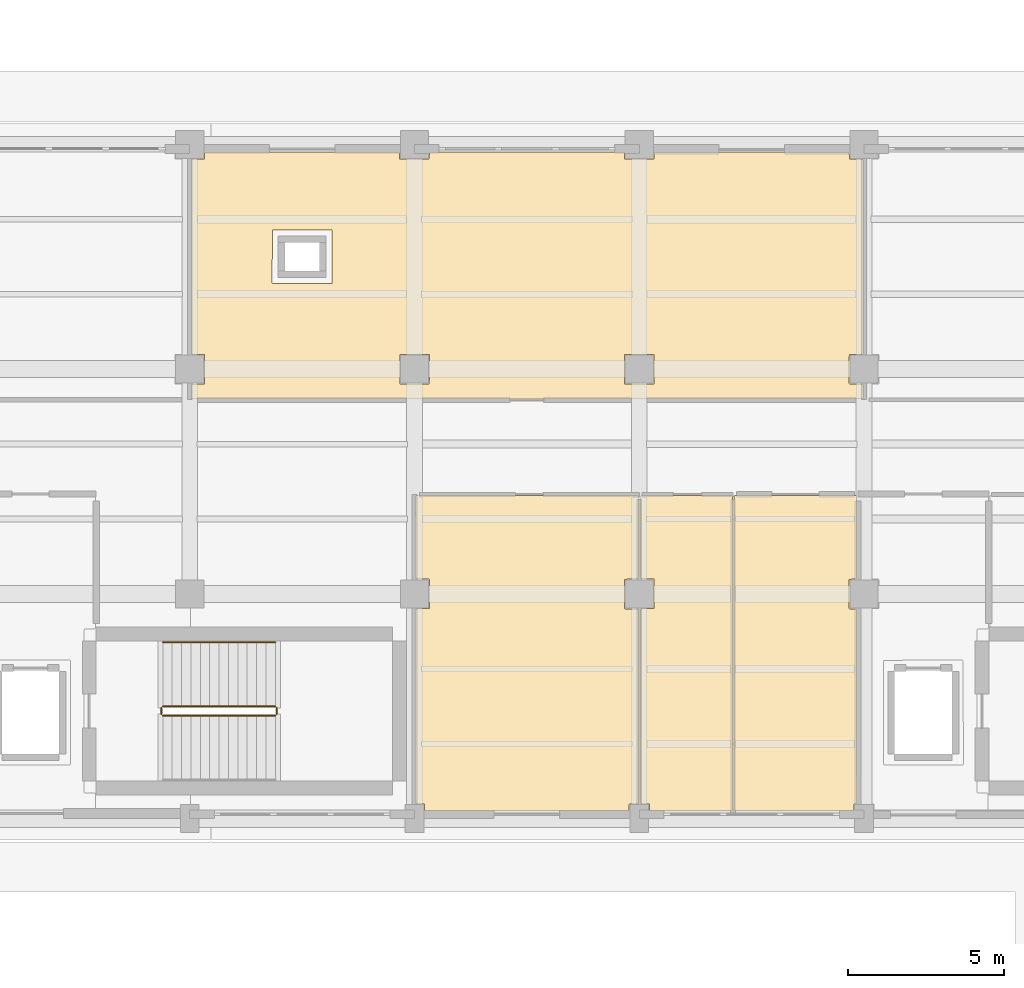
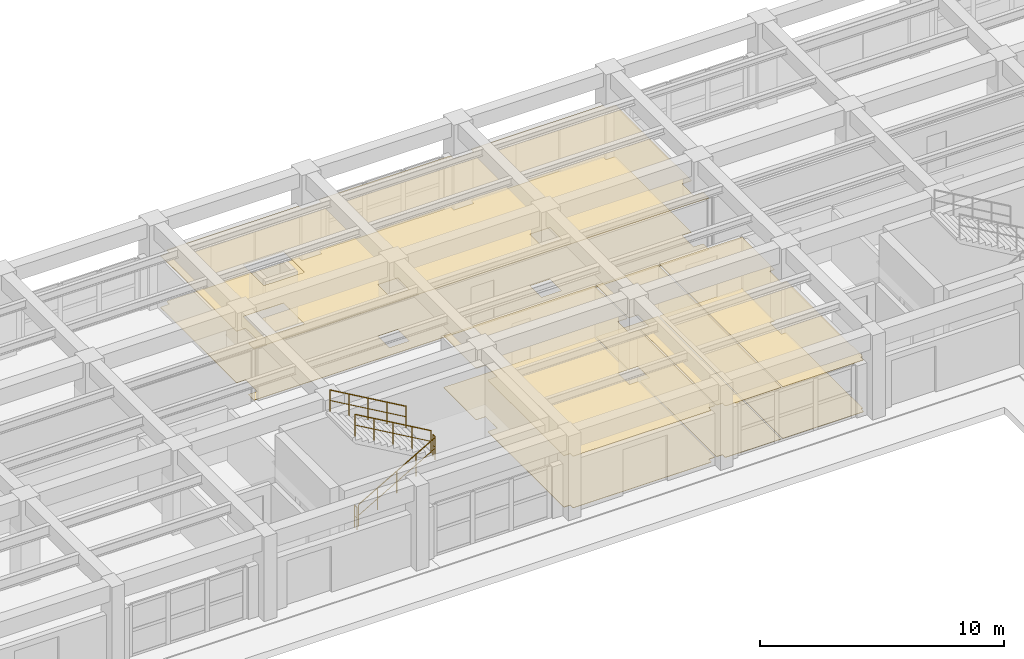
# One storey, part 61 of 64: 8 coverings, 5 railings.
"""IFC4 building model written with IfcOpenShell, lengths in metres."""

from ifc_helpers import new_model, si_unit, direction, frame, origin, origin_2d, place, context, subcontext, project, spatial, polyline, circle, outline, extrude, material, layer, layer_set, type_object, element, save


model = new_model("IFC4")

# Units and contexts
model_context = context("Model", 3, precision=1e-05, world=origin(), true_north=direction((0.0, 1.0)))
body_context = subcontext(model_context, "Body", "Model", "MODEL_VIEW")
ifc_project = project(units=[si_unit("LENGTHUNIT", "METRE"), si_unit("AREAUNIT", "SQUARE_METRE"), si_unit("VOLUMEUNIT", "CUBIC_METRE"), si_unit("PLANEANGLEUNIT", "RADIAN"), si_unit("MASSUNIT", "GRAM", prefix="KILO")], contexts=[model_context])

# Site, building, storey
site_placement = place(None, origin())
site = spatial("IfcSite", under=ifc_project, at=site_placement, CompositionType="ELEMENT")
building_placement = place(site_placement, origin())
building = spatial("IfcBuilding", under=site, at=building_placement, Name="Solenvale Faculty of Natural Sciences", CompositionType="ELEMENT")
storey_placement = place(building_placement, origin())
storey = spatial("IfcBuildingStorey", under=building, at=storey_placement, Name="L00", CompositionType="ELEMENT", Elevation=0.0)

# Coverings
ifc_material_1 = material(Name="Acoustic mineral-timber ceiling", Category="wood")
ifc_layer_1 = layer(ifc_material_1, 0.02490234375)
ifc_layer_set_1 = layer_set([ifc_layer_1], Name="Acoustic mineral-timber ceiling")
covering_type_1 = type_object("IfcCoveringType", Name="COV-CEIL-AC25", PredefinedType="CEILING", material=ifc_layer_set_1)
covering_1_placement = place(storey_placement, frame((0.0, 0.0, 2.574951171875)))
element("IfcCovering", 1, at=covering_1_placement, inside=storey, type_object=covering_type_1, Name="L00 Seminar Room Acoustic Ceiling", PredefinedType="CEILING", context=body_context, shape_type="SweptSolid", body=[
    extrude(outline(polyline([(114.695068359375, 114.9599609375), (114.72412109375, 114.93603515625), (114.72509765625, 114.73388671875), (114.736083984375, 114.72509765625), (115.6669921875, 114.72509765625), (115.676025390625, 114.93603515625), (115.705078125, 114.9599609375), (121.89501953125, 114.9599609375), (121.924072265625, 114.93603515625), (121.925048828125, 114.73388671875), (121.93603515625, 114.72509765625), (122.866943359375, 114.72509765625), (122.8759765625, 114.93603515625), (122.905029296875, 114.9599609375), (129.094970703125, 114.9599609375), (129.1240234375, 114.93603515625), (129.1298828125, 114.72607421875), (129.56396484375, 114.720947265625), (129.580078125, 114.695068359375), (129.580078125, 108.501953125), (129.552978515625, 108.47509765625), (129.1259765625, 108.468994140625), (129.125, 107.535888671875), (129.135986328125, 107.52490234375), (129.550048828125, 107.52490234375), (129.571044921875, 107.51611328125), (129.580078125, 107.4951171875), (129.575927734375, 107.055908203125), (129.550048828125, 107.0400390625), (108.051025390625, 107.047119140625), (108.0400390625, 107.070068359375), (108.047119140625, 107.513916015625), (108.070068359375, 107.52490234375), (108.47509765625, 107.531982421875), (108.47509765625, 108.464111328125), (108.464111328125, 108.47509765625), (108.06689453125, 108.47509765625), (108.0400390625, 108.501953125), (108.047119140625, 114.714111328125), (108.070068359375, 114.72509765625), (108.469970703125, 114.72607421875), (108.47607421875, 114.93603515625), (108.5048828125, 114.9599609375), (114.695068359375, 114.9599609375)]), holes=[polyline([(122.875, 108.464111328125), (122.864013671875, 108.47509765625), (121.927978515625, 108.471923828125), (121.927978515625, 107.528076171875), (122.8720703125, 107.528076171875), (122.875, 108.464111328125)]), polyline([(115.675048828125, 108.464111328125), (115.6640625, 108.47509765625), (114.72802734375, 108.471923828125), (114.72802734375, 107.528076171875), (115.672119140625, 107.528076171875), (115.675048828125, 108.464111328125)]), polyline([(112.531982421875, 110.739990234375), (112.552001953125, 110.75), (112.56005859375, 110.77001953125), (112.56005859375, 112.429931640625), (112.550048828125, 112.451904296875), (110.669921875, 112.4599609375), (110.64794921875, 112.449951171875), (110.639892578125, 110.77001953125), (110.64990234375, 110.748046875), (112.531982421875, 110.739990234375)])]), origin(), (0.0, 0.0, 1.0), 0.025146484375),
])
covering_2_placement = place(storey_placement, frame((0.0, 0.0, 2.574951171875)))
element("IfcCovering", 2, at=covering_2_placement, inside=storey, type_object=covering_type_1, Name="L00 Public Washroom Acoustic Ceiling", PredefinedType="CEILING", context=body_context, shape_type="SweptSolid", body=[
    extrude(outline(polyline([(122.35009765625, 103.9599609375), (122.37109375, 103.950927734375), (122.3798828125, 103.929931640625), (122.3798828125, 101.302001953125), (122.35302734375, 101.27490234375), (121.926025390625, 101.26904296875), (121.925048828125, 100.3359375), (121.93603515625, 100.324951171875), (122.35302734375, 100.324951171875), (122.3798828125, 100.298095703125), (122.375, 94.087890625), (122.35302734375, 94.074951171875), (122.0791015625, 94.072998046875), (122.074951171875, 93.866943359375), (122.044921875, 93.840087890625), (115.5380859375, 93.844970703125), (115.52490234375, 93.866943359375), (115.52099609375, 94.072998046875), (115.2470703125, 94.074951171875), (115.219970703125, 94.10205078125), (115.219970703125, 100.294921875), (115.2470703125, 100.324951171875), (115.674072265625, 100.3310546875), (115.675048828125, 101.263916015625), (115.6640625, 101.27490234375), (115.2470703125, 101.27490234375), (115.220947265625, 101.299072265625), (115.22509765625, 103.947021484375), (115.25, 103.9599609375), (122.35009765625, 103.9599609375)])), origin(), (0.0, 0.0, 1.0), 0.025146484375),
])
covering_3_placement = place(storey_placement, frame((0.0, 0.0, 2.574951171875)))
element("IfcCovering", 3, at=covering_3_placement, inside=storey, type_object=covering_type_1, Name="L00 Accessible Washroom Acoustic Ceiling", PredefinedType="CEILING", context=body_context, shape_type="SweptSolid", body=[
    extrude(outline(polyline([(125.35009765625, 103.9599609375), (125.37109375, 103.950927734375), (125.3798828125, 103.929931640625), (125.37890625, 93.861083984375), (125.35009765625, 93.840087890625), (122.74609375, 93.841064453125), (122.72509765625, 93.866943359375), (122.720947265625, 94.072998046875), (122.467041015625, 94.074951171875), (122.43994140625, 94.10498046875), (122.43994140625, 100.294921875), (122.467041015625, 100.324951171875), (122.8740234375, 100.3310546875), (122.875, 101.263916015625), (122.864013671875, 101.27490234375), (122.467041015625, 101.27490234375), (122.44091796875, 101.299072265625), (122.44091796875, 103.93896484375), (122.469970703125, 103.9599609375), (125.35009765625, 103.9599609375)])), origin(), (0.0, 0.0, 1.0), 0.025146484375),
])
covering_4_placement = place(storey_placement, frame((0.0, 0.0, 2.574951171875)))
element("IfcCovering", 4, at=covering_4_placement, inside=storey, type_object=covering_type_1, Name="L00 Janitor and Supply Store Acoustic Ceiling", PredefinedType="CEILING", context=body_context, shape_type="SweptSolid", body=[
    extrude(outline(polyline([(129.330078125, 103.9599609375), (129.35107421875, 103.950927734375), (129.360107421875, 103.929931640625), (129.360107421875, 101.302001953125), (129.3359375, 101.27587890625), (129.125, 101.26708984375), (129.125, 100.3359375), (129.134033203125, 100.324951171875), (129.3359375, 100.323974609375), (129.360107421875, 100.294921875), (129.360107421875, 95.0), (129.3798828125, 94.950927734375), (129.3779296875, 94.093994140625), (129.35595703125, 94.075927734375), (129.27587890625, 94.070068359375), (129.27490234375, 93.866943359375), (129.248046875, 93.840087890625), (125.458984375, 93.842041015625), (125.43994140625, 93.8701171875), (125.44189453125, 103.94091796875), (125.469970703125, 103.9599609375), (129.330078125, 103.9599609375)])), origin(), (0.0, 0.0, 1.0), 0.025146484375),
])
ifc_material_2 = material(Name="Polished slate terrazzo flooring", Category="masonry")
ifc_layer_2 = layer(ifc_material_2, 0.01806640625)
ifc_layer_set_2 = layer_set([ifc_layer_2], Name="Polished slate terrazzo flooring")
covering_type_2 = type_object("IfcCoveringType", Name="COV-FLR-TRZ18", PredefinedType="FLOORING", material=ifc_layer_set_2)
covering_5_placement = place(storey_placement, origin())
element("IfcCovering", 5, at=covering_5_placement, inside=storey, type_object=covering_type_2, Name="L00 Seminar Room Floor Finish", PredefinedType="FLOORING", context=body_context, shape_type="SweptSolid", body=[
    extrude(outline(polyline([(114.695068359375, 114.9599609375), (114.72412109375, 114.93603515625), (114.72509765625, 114.73388671875), (114.736083984375, 114.72509765625), (115.6669921875, 114.72509765625), (115.676025390625, 114.93603515625), (115.705078125, 114.9599609375), (121.89501953125, 114.9599609375), (121.924072265625, 114.93603515625), (121.925048828125, 114.73388671875), (121.93603515625, 114.72509765625), (122.866943359375, 114.72509765625), (122.8759765625, 114.93603515625), (122.905029296875, 114.9599609375), (129.094970703125, 114.9599609375), (129.1240234375, 114.93603515625), (129.1298828125, 114.72607421875), (129.56396484375, 114.720947265625), (129.580078125, 114.695068359375), (129.580078125, 108.501953125), (129.552978515625, 108.47509765625), (129.1259765625, 108.468994140625), (129.125, 107.535888671875), (129.135986328125, 107.52490234375), (129.550048828125, 107.52490234375), (129.571044921875, 107.51611328125), (129.580078125, 107.4951171875), (129.575927734375, 107.055908203125), (129.550048828125, 107.0400390625), (108.051025390625, 107.047119140625), (108.0400390625, 107.070068359375), (108.047119140625, 107.513916015625), (108.070068359375, 107.52490234375), (108.47509765625, 107.531982421875), (108.47509765625, 108.464111328125), (108.464111328125, 108.47509765625), (108.06689453125, 108.47509765625), (108.0400390625, 108.501953125), (108.047119140625, 114.714111328125), (108.070068359375, 114.72509765625), (108.469970703125, 114.72607421875), (108.47607421875, 114.93603515625), (108.5048828125, 114.9599609375), (114.695068359375, 114.9599609375)]), holes=[polyline([(122.875, 108.464111328125), (122.864013671875, 108.47509765625), (121.927978515625, 108.471923828125), (121.927978515625, 107.528076171875), (122.8720703125, 107.528076171875), (122.875, 108.464111328125)]), polyline([(115.675048828125, 108.464111328125), (115.6640625, 108.47509765625), (114.72802734375, 108.471923828125), (114.72802734375, 107.528076171875), (115.672119140625, 107.528076171875), (115.675048828125, 108.464111328125)]), polyline([(112.531982421875, 110.739990234375), (112.552001953125, 110.75), (112.56005859375, 110.77001953125), (112.56005859375, 112.429931640625), (112.550048828125, 112.451904296875), (110.669921875, 112.4599609375), (110.64794921875, 112.449951171875), (110.639892578125, 110.77001953125), (110.64990234375, 110.748046875), (112.531982421875, 110.739990234375)])]), origin(), (0.0, 0.0, 1.0), 0.01806640625),
])
covering_6_placement = place(storey_placement, origin())
element("IfcCovering", 6, at=covering_6_placement, inside=storey, type_object=covering_type_2, Name="L00 Public Washroom Floor Finish", PredefinedType="FLOORING", context=body_context, shape_type="SweptSolid", body=[
    extrude(outline(polyline([(122.35009765625, 103.9599609375), (122.37109375, 103.950927734375), (122.3798828125, 103.929931640625), (122.3798828125, 101.302001953125), (122.35302734375, 101.27490234375), (121.926025390625, 101.26904296875), (121.925048828125, 100.3359375), (121.93603515625, 100.324951171875), (122.35302734375, 100.324951171875), (122.3798828125, 100.298095703125), (122.375, 94.087890625), (122.35302734375, 94.074951171875), (122.0791015625, 94.072998046875), (122.074951171875, 93.866943359375), (122.044921875, 93.840087890625), (115.5380859375, 93.844970703125), (115.52490234375, 93.866943359375), (115.52099609375, 94.072998046875), (115.2470703125, 94.074951171875), (115.219970703125, 94.10205078125), (115.219970703125, 100.294921875), (115.2470703125, 100.324951171875), (115.674072265625, 100.3310546875), (115.675048828125, 101.263916015625), (115.6640625, 101.27490234375), (115.2470703125, 101.27490234375), (115.220947265625, 101.299072265625), (115.22509765625, 103.947021484375), (115.25, 103.9599609375), (122.35009765625, 103.9599609375)])), origin(), (0.0, 0.0, 1.0), 0.01806640625),
])
covering_7_placement = place(storey_placement, origin())
element("IfcCovering", 7, at=covering_7_placement, inside=storey, type_object=covering_type_2, Name="L00 Accessible Washroom Floor Finish", PredefinedType="FLOORING", context=body_context, shape_type="SweptSolid", body=[
    extrude(outline(polyline([(125.35009765625, 103.9599609375), (125.37109375, 103.950927734375), (125.3798828125, 103.929931640625), (125.37890625, 93.861083984375), (125.35009765625, 93.840087890625), (122.74609375, 93.841064453125), (122.72509765625, 93.866943359375), (122.720947265625, 94.072998046875), (122.467041015625, 94.074951171875), (122.43994140625, 94.10498046875), (122.43994140625, 100.294921875), (122.467041015625, 100.324951171875), (122.8740234375, 100.3310546875), (122.875, 101.263916015625), (122.864013671875, 101.27490234375), (122.467041015625, 101.27490234375), (122.44091796875, 101.299072265625), (122.44091796875, 103.93896484375), (122.469970703125, 103.9599609375), (125.35009765625, 103.9599609375)])), origin(), (0.0, 0.0, 1.0), 0.01806640625),
])
covering_8_placement = place(storey_placement, origin())
element("IfcCovering", 8, at=covering_8_placement, inside=storey, type_object=covering_type_2, Name="L00 Janitor and Supply Store Floor Finish", PredefinedType="FLOORING", context=body_context, shape_type="SweptSolid", body=[
    extrude(outline(polyline([(129.330078125, 103.9599609375), (129.35107421875, 103.950927734375), (129.360107421875, 103.929931640625), (129.360107421875, 101.302001953125), (129.3359375, 101.27587890625), (129.125, 101.26708984375), (129.125, 100.3359375), (129.134033203125, 100.324951171875), (129.3359375, 100.323974609375), (129.360107421875, 100.294921875), (129.360107421875, 95.0), (129.3798828125, 94.950927734375), (129.3779296875, 94.093994140625), (129.35595703125, 94.075927734375), (129.27587890625, 94.070068359375), (129.27490234375, 93.866943359375), (129.248046875, 93.840087890625), (125.458984375, 93.842041015625), (125.43994140625, 93.8701171875), (125.44189453125, 103.94091796875), (125.469970703125, 103.9599609375), (129.330078125, 103.9599609375)])), origin(), (0.0, 0.0, 1.0), 0.01806640625),
])

# Railings
ifc_material_3 = material(Name="Stainless steel Grade 304", Category="steel")
railing_type_1 = type_object("IfcRailingType", Name="RL-GRD-1100", PredefinedType="GUARDRAIL", material=ifc_material_3)
railing_1_placement = place(storey_placement, frame((107.139892578125, 96.89990234375, 0.173095703125)))
element("IfcRailing", 9, at=railing_1_placement, inside=storey, type_object=railing_type_1, Name="L00 ST-04 stair guard 1", PredefinedType="GUARDRAIL", context=body_context, shape_type="SweptSolid", body=[
    extrude(circle(Radius=0.02392578125, at=origin_2d()), frame((0.0, 0.0, 1.09619140625), z_axis=(0.866193409371, 0.0, 0.499708892819), x_axis=(0.0, 1.0, 0.0)), (0.0, 0.0, 1.0), 4.15625),
    extrude(circle(Radius=0.01611328125, at=origin_2d()), frame((0.0, 0.0, 0.56005859375), z_axis=(0.866193409371, 0.0, 0.499708892819), x_axis=(0.0, 1.0, 0.0)), (0.0, 0.0, 1.0), 4.15625),
    extrude(circle(Radius=0.02099609375, at=origin_2d()), origin(), (0.0, 0.0, 1.0), 1.072021484375),
    extrude(circle(Radius=0.02099609375, at=origin_2d()), frame((0.89990234375, 0.0, 0.519287109375)), (0.0, 0.0, 1.0), 1.072021484375),
    extrude(circle(Radius=0.02099609375, at=origin_2d()), frame((1.800048828125, 0.0, 1.03857421875)), (0.0, 0.0, 1.0), 1.072021484375),
    extrude(circle(Radius=0.02099609375, at=origin_2d()), frame((2.7001953125, 0.0, 1.5576171875)), (0.0, 0.0, 1.0), 1.072021484375),
    extrude(circle(Radius=0.02099609375, at=origin_2d()), frame((3.60009765625, 0.0, 2.076904296875)), (0.0, 0.0, 1.0), 1.072021484375),
])
railing_2_placement = place(storey_placement, frame((110.7900390625, 96.949951171875, 2.25)))
element("IfcRailing", 10, at=railing_2_placement, inside=storey, type_object=railing_type_1, Name="L00 ST-04 stair guard 2", PredefinedType="GUARDRAIL", context=body_context, shape_type="SweptSolid", body=[
    extrude(circle(Radius=0.02392578125, at=origin_2d()), frame((0.0, 0.0, 1.09619140625), z_axis=(0.0, 1.0, 0.0), x_axis=(-1.0, 0.0, 0.0)), (0.0, 0.0, 1.0), 0.199951171875),
    extrude(circle(Radius=0.01611328125, at=origin_2d()), frame((0.0, 0.0, 0.56005859375), z_axis=(0.0, 1.0, 0.0), x_axis=(-1.0, 0.0, 0.0)), (0.0, 0.0, 1.0), 0.199951171875),
    extrude(circle(Radius=0.02099609375, at=origin_2d()), origin(), (0.0, 0.0, 1.0), 1.072021484375),
    extrude(circle(Radius=0.02099609375, at=origin_2d()), frame((0.0, 0.199951171875, 0.0)), (0.0, 0.0, 1.0), 1.072021484375),
])
railing_3_placement = place(storey_placement, frame((110.739990234375, 97.199951171875, 2.423095703125)))
element("IfcRailing", 11, at=railing_3_placement, inside=storey, type_object=railing_type_1, Name="L00 ST-04 stair guard 3", PredefinedType="GUARDRAIL", context=body_context, shape_type="SweptSolid", body=[
    extrude(circle(Radius=0.02392578125, at=origin_2d()), frame((0.0, 0.0, 1.09619140625), z_axis=(-0.866193409371, 0.0, 0.499708892819), x_axis=(0.0, -1.0, 0.0)), (0.0, 0.0, 1.0), 4.15625),
    extrude(circle(Radius=0.01611328125, at=origin_2d()), frame((0.0, 0.0, 0.56005859375), z_axis=(-0.866193409371, 0.0, 0.499708892819), x_axis=(0.0, -1.0, 0.0)), (0.0, 0.0, 1.0), 4.15625),
    extrude(circle(Radius=0.02099609375, at=origin_2d()), origin(), (0.0, 0.0, 1.0), 1.072021484375),
    extrude(circle(Radius=0.02099609375, at=origin_2d()), frame((-0.89990234375, 0.0, 0.519287109375)), (0.0, 0.0, 1.0), 1.072021484375),
    extrude(circle(Radius=0.02099609375, at=origin_2d()), frame((-1.800048828125, 0.0, 1.03857421875)), (0.0, 0.0, 1.0), 1.072021484375),
    extrude(circle(Radius=0.02099609375, at=origin_2d()), frame((-2.7001953125, 0.0, 1.5576171875)), (0.0, 0.0, 1.0), 1.072021484375),
    extrude(circle(Radius=0.02099609375, at=origin_2d()), frame((-3.60009765625, 0.0, 2.076904296875)), (0.0, 0.0, 1.0), 1.072021484375),
])
railing_4_placement = place(storey_placement, frame((107.090087890625, 96.949951171875, 0.0)))
element("IfcRailing", 12, at=railing_4_placement, inside=storey, type_object=railing_type_1, Name="L00 ST-04 stair guard 4", PredefinedType="GUARDRAIL", context=body_context, shape_type="SweptSolid", body=[
    extrude(circle(Radius=0.02392578125, at=origin_2d()), frame((0.0, 0.0, 1.09619140625), z_axis=(0.0, 1.0, 0.0), x_axis=(-1.0, 0.0, 0.0)), (0.0, 0.0, 1.0), 0.199951171875),
    extrude(circle(Radius=0.01611328125, at=origin_2d()), frame((0.0, 0.0, 0.56005859375), z_axis=(0.0, 1.0, 0.0), x_axis=(-1.0, 0.0, 0.0)), (0.0, 0.0, 1.0), 0.199951171875),
    extrude(circle(Radius=0.02099609375, at=origin_2d()), origin(), (0.0, 0.0, 1.0), 1.072021484375),
    extrude(circle(Radius=0.02099609375, at=origin_2d()), frame((0.0, 0.199951171875, 0.0)), (0.0, 0.0, 1.0), 1.072021484375),
])
railing_type_2 = type_object("IfcRailingType", Name="RL-HND-900", PredefinedType="HANDRAIL", material=ifc_material_3)
railing_5_placement = place(storey_placement, frame((110.739990234375, 99.25, 2.423095703125)))
element("IfcRailing", 13, at=railing_5_placement, inside=storey, type_object=railing_type_2, Name="L00 ST-04 stair handrail 2", PredefinedType="HANDRAIL", context=body_context, shape_type="SweptSolid", body=[
    extrude(circle(Radius=0.02392578125, at=origin_2d()), frame((0.0, 0.0, 1.0732421875), z_axis=(-0.866193409371, 0.0, 0.499708892819), x_axis=(0.0, -1.0, 0.0)), (0.0, 0.0, 1.0), 4.15625),
    extrude(circle(Radius=0.01611328125, at=origin_2d()), frame((0.0, 0.0, 0.548583984375), z_axis=(-0.866193409371, 0.0, 0.499708892819), x_axis=(0.0, -1.0, 0.0)), (0.0, 0.0, 1.0), 4.15625),
    extrude(circle(Radius=0.02099609375, at=origin_2d()), origin(), (0.0, 0.0, 1.0), 1.049072265625),
    extrude(circle(Radius=0.02099609375, at=origin_2d()), frame((-0.89990234375, 0.0, 0.519287109375)), (0.0, 0.0, 1.0), 1.049072265625),
    extrude(circle(Radius=0.02099609375, at=origin_2d()), frame((-1.800048828125, 0.0, 1.03857421875)), (0.0, 0.0, 1.0), 1.049072265625),
    extrude(circle(Radius=0.02099609375, at=origin_2d()), frame((-2.7001953125, 0.0, 1.5576171875)), (0.0, 0.0, 1.0), 1.049072265625),
    extrude(circle(Radius=0.02099609375, at=origin_2d()), frame((-3.60009765625, 0.0, 2.076904296875)), (0.0, 0.0, 1.0), 1.049072265625),
])

save(model, "model.ifc")
